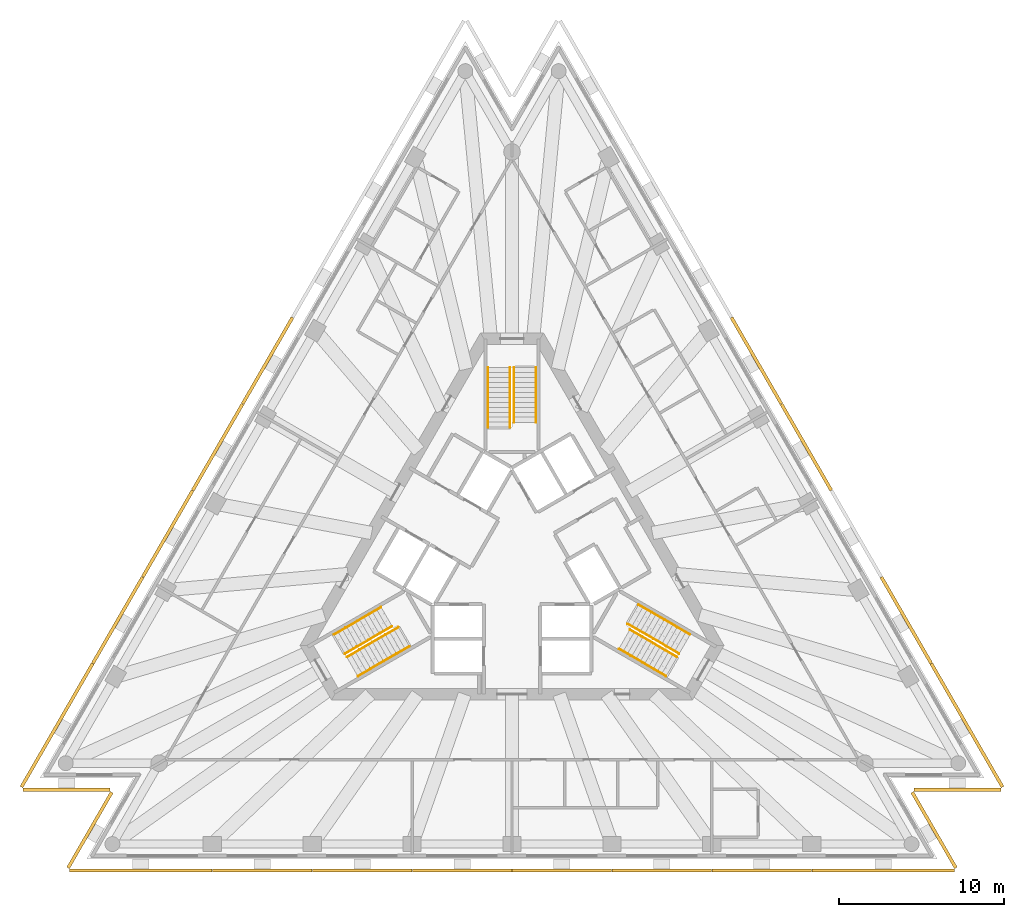
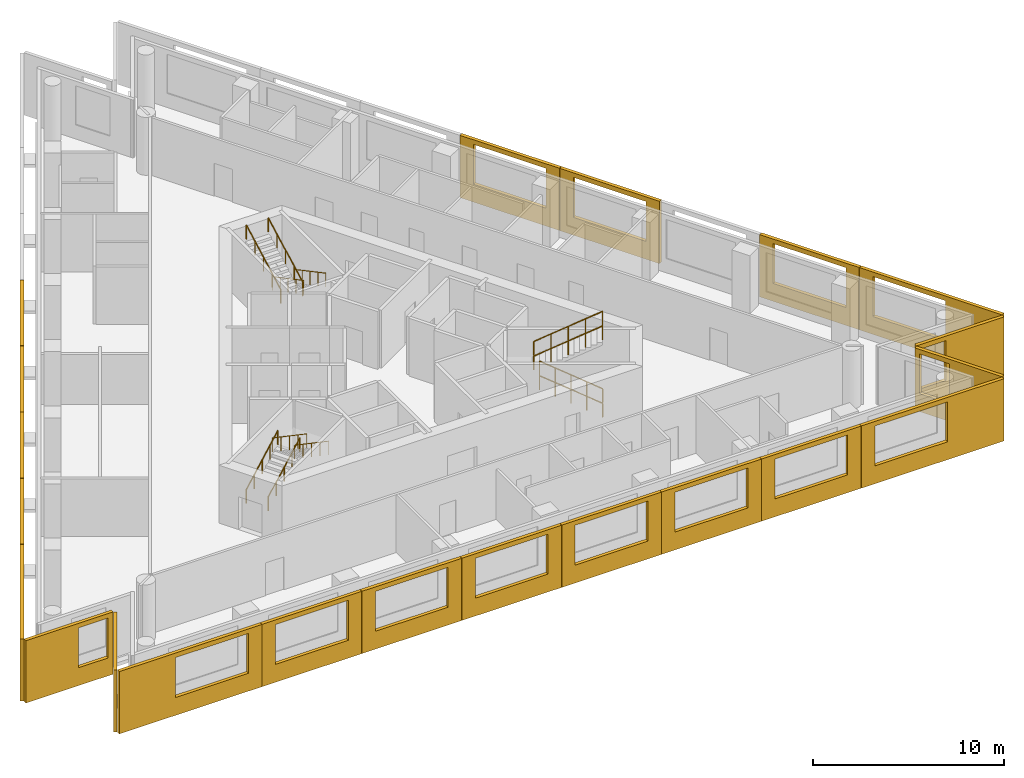
# One storey, part 8 of 9: 21 shading devices, 12 railings, 3 elements without a shape of their own.
"""IFC4 building model written with IfcOpenShell, lengths in metres."""

from ifc_helpers import new_model, si_unit, direction, frame, origin, origin_2d, place, context, subcontext, project, spatial, polyline, circle, outline, extrude, material, layer, layer_set, type_object, element, aggregate, save


model = new_model("IFC4")

# Units and contexts
model_context = context("Model", 3, precision=1e-05, world=origin(), true_north=direction((0.0, 1.0)))
body_context = subcontext(model_context, "Body", "Model", "MODEL_VIEW")
ifc_project = project(units=[si_unit("LENGTHUNIT", "METRE"), si_unit("AREAUNIT", "SQUARE_METRE"), si_unit("VOLUMEUNIT", "CUBIC_METRE"), si_unit("PLANEANGLEUNIT", "RADIAN"), si_unit("MASSUNIT", "GRAM", prefix="KILO")], contexts=[model_context])

# Site, building, storey
site_placement = place(None, origin())
site = spatial("IfcSite", under=ifc_project, at=site_placement, CompositionType="ELEMENT")
building_placement = place(site_placement, origin())
building = spatial("IfcBuilding", under=site, at=building_placement, Name="Triada Interchange Tower", CompositionType="ELEMENT")
storey_placement = place(building_placement, frame((0.0, 0.0, 223.300048828125)))
storey = spatial("IfcBuildingStorey", under=building, at=storey_placement, Name="L52", CompositionType="ELEMENT", Elevation=223.300048828125)

# Shading devices
ifc_material_1 = material(Name="Concrete C50/60 precast", Category="concrete")
ifc_layer_1 = layer(ifc_material_1, 0.02001953125, Name="Exposed aggregate face")
ifc_layer_2 = layer(ifc_material_1, 0.179931640625, Name="Precast concrete screen")
ifc_layer_set = layer_set([ifc_layer_1, ifc_layer_2], Name="Outer skin screen panel 3980")
shading_device_type = type_object("IfcShadingDeviceType", Name="Outer skin screen panel 3980", PredefinedType="SHUTTER", material=ifc_layer_set)
shading_device_1_placement = place(storey_placement, frame((-13.18798828125, 14.577880859375, -0.2900390625), z_axis=(0.0, 0.0, 1.0), x_axis=(-0.499972859464, -0.866041072813, 0.0)))
element("IfcShadingDevice", 1, at=shading_device_1_placement, inside=storey, type_object=shading_device_type, Name="Outer skin screen panel L52 04", PredefinedType="SHUTTER", context=body_context, shape_type="SweptSolid", body=[
    extrude(outline(polyline([(0.0, 0.0), (6.020263671875, 0.0), (6.020263671875, 3.97998046875), (0.0, 3.97998046875), (0.0, 0.0)]), holes=[polyline([(0.81005859375, 1.139892578125), (0.81005859375, 3.68994140625), (5.2099609375, 3.68994140625), (5.2099609375, 1.139892578125), (0.81005859375, 1.139892578125)])]), frame((0.0, 0.0, 0.0), z_axis=(0.0, -1.0, 0.0), x_axis=(1.0, 0.0, 0.0)), (0.0, 0.0, 1.0), 0.199951171875),
])
shading_device_2_placement = place(storey_placement, frame((-16.2080078125, 9.345947265625, -0.2900390625), z_axis=(0.0, 0.0, 1.0), x_axis=(-0.499972859464, -0.866041072813, 0.0)))
element("IfcShadingDevice", 2, at=shading_device_2_placement, inside=storey, type_object=shading_device_type, Name="Outer skin screen panel L52 05", PredefinedType="SHUTTER", context=body_context, shape_type="SweptSolid", body=[
    extrude(outline(polyline([(0.0, 0.0), (6.020263671875, 0.0), (6.020263671875, 3.97998046875), (0.0, 3.97998046875), (0.0, 0.0)]), holes=[polyline([(0.810302734375, 1.139892578125), (0.810302734375, 3.68994140625), (5.21044921875, 3.68994140625), (5.21044921875, 1.139892578125), (0.810302734375, 1.139892578125)])]), frame((0.0, 0.0, 0.0), z_axis=(0.0, -1.0, 0.0), x_axis=(1.0, 0.0, 0.0)), (0.0, 0.0, 1.0), 0.199951171875),
])
shading_device_3_placement = place(storey_placement, frame((-19.22802734375, 4.114990234375, -0.2900390625), z_axis=(0.0, 0.0, 1.0), x_axis=(-0.500076946771, -0.865980973987, 0.0)))
element("IfcShadingDevice", 3, at=shading_device_3_placement, inside=storey, type_object=shading_device_type, Name="Outer skin screen panel L52 06", PredefinedType="SHUTTER", context=body_context, shape_type="SweptSolid", body=[
    extrude(outline(polyline([(0.0, 0.0), (6.02099609375, 0.0), (6.02099609375, 3.97998046875), (0.0, 3.97998046875), (0.0, 0.0)]), holes=[polyline([(0.809814453125, 1.139892578125), (0.809814453125, 3.68994140625), (5.2099609375, 3.68994140625), (5.2099609375, 1.139892578125), (0.809814453125, 1.139892578125)])]), frame((0.0, 0.0, 0.0), z_axis=(0.0, -1.0, 0.0), x_axis=(1.0, 0.0, 0.0)), (0.0, 0.0, 1.0), 0.199951171875),
])
shading_device_4_placement = place(storey_placement, frame((-22.2490234375, -1.115966796875, -0.2900390625), z_axis=(0.0, 0.0, 1.0), x_axis=(-0.499955300828, -0.866051209326, 0.0)))
element("IfcShadingDevice", 4, at=shading_device_4_placement, inside=storey, type_object=shading_device_type, Name="Outer skin screen panel L52 07", PredefinedType="SHUTTER", context=body_context, shape_type="SweptSolid", body=[
    extrude(outline(polyline([(0.0, 0.0), (6.0205078125, 0.0), (6.0205078125, 3.97998046875), (0.0, 3.97998046875), (0.0, 0.0)]), holes=[polyline([(0.810302734375, 1.139892578125), (0.810302734375, 3.68994140625), (5.21044921875, 3.68994140625), (5.21044921875, 1.139892578125), (0.810302734375, 1.139892578125)])]), frame((0.0, 0.0, 0.0), z_axis=(0.0, -1.0, 0.0), x_axis=(1.0, 0.0, 0.0)), (0.0, 0.0, 1.0), 0.199951171875),
])
shading_device_5_placement = place(storey_placement, frame((-25.26904296875, -6.346923828125, -0.2900390625), z_axis=(0.0, 0.0, 1.0), x_axis=(-0.499950501706, -0.866053979752, 0.0)))
element("IfcShadingDevice", 5, at=shading_device_5_placement, inside=storey, type_object=shading_device_type, Name="Outer skin screen panel L52 08", PredefinedType="SHUTTER", context=body_context, shape_type="SweptSolid", body=[
    extrude(outline(polyline([(0.0, 0.0), (8.618408203125, 0.0), (8.618408203125, 3.97998046875), (0.0, 3.97998046875), (0.0, 0.0)]), holes=[polyline([(0.809814453125, 1.139892578125), (0.809814453125, 3.68994140625), (5.2099609375, 3.68994140625), (5.2099609375, 1.139892578125), (0.809814453125, 1.139892578125)])]), frame((0.0, 0.0, 0.0), z_axis=(0.0, -1.0, 0.0), x_axis=(1.0, 0.0, 0.0)), (0.0, 0.0, 1.0), 0.199951171875),
])
shading_device_6_placement = place(storey_placement, frame((-29.572998046875, -13.820068359375, -0.2900390625), z_axis=(0.0, 0.0, 1.0), x_axis=(1.0, 0.0, 0.0)))
element("IfcShadingDevice", 6, at=shading_device_6_placement, inside=storey, type_object=shading_device_type, Name="Outer skin screen panel L52 09", PredefinedType="SHUTTER", context=body_context, shape_type="SweptSolid", body=[
    extrude(outline(polyline([(0.0, 0.0), (5.279052734375, 0.0), (5.279052734375, 3.97998046875), (0.0, 3.97998046875), (0.0, 0.0)]), holes=[polyline([(3.175048828125, 1.139892578125), (3.175048828125, 3.68994140625), (4.97900390625, 3.68994140625), (4.97900390625, 1.139892578125), (3.175048828125, 1.139892578125)])]), frame((0.0, 0.0, 0.0), z_axis=(0.0, -1.0, 0.0), x_axis=(1.0, 0.0, 0.0)), (0.0, 0.0, 1.0), 0.199951171875),
])
shading_device_7_placement = place(storey_placement, frame((-24.114990234375, -14.12890625, -0.2900390625), z_axis=(0.0, 0.0, 1.0), x_axis=(-0.50003334744, -0.866006149775, 0.0)))
element("IfcShadingDevice", 7, at=shading_device_7_placement, inside=storey, type_object=shading_device_type, Name="Outer skin screen panel L52 10", PredefinedType="SHUTTER", context=body_context, shape_type="SweptSolid", body=[
    extrude(outline(polyline([(0.0, 0.0), (5.279541015625, 0.0), (5.279541015625, 3.97998046875), (0.0, 3.97998046875), (0.0, 0.0)]), holes=[polyline([(0.300048828125, 1.139892578125), (0.300048828125, 3.68994140625), (1.758056640625, 3.68994140625), (1.758056640625, 1.139892578125), (0.300048828125, 1.139892578125)])]), frame((0.0, 0.0, 0.0), z_axis=(0.0, -1.0, 0.0), x_axis=(1.0, 0.0, 0.0)), (0.0, 0.0, 1.0), 0.199951171875),
])
shading_device_8_placement = place(storey_placement, frame((-26.75, -18.7099609375, -0.2900390625), z_axis=(0.0, 0.0, 1.0), x_axis=(1.0, 0.0, 0.0)))
element("IfcShadingDevice", 8, at=shading_device_8_placement, inside=storey, type_object=shading_device_type, Name="Outer skin screen panel L52 11", PredefinedType="SHUTTER", context=body_context, shape_type="SweptSolid", body=[
    extrude(outline(polyline([(0.0, 0.0), (8.618896484375, 0.0), (8.618896484375, 3.97998046875), (0.0, 3.97998046875), (0.0, 0.0)]), holes=[polyline([(3.407958984375, 1.139892578125), (3.407958984375, 3.68994140625), (7.80810546875, 3.68994140625), (7.80810546875, 1.139892578125), (3.407958984375, 1.139892578125)])]), frame((0.0, 0.0, 0.0), z_axis=(0.0, -1.0, 0.0), x_axis=(1.0, 0.0, 0.0)), (0.0, 0.0, 1.0), 0.199951171875),
])
shading_device_9_placement = place(storey_placement, frame((-18.112060546875, -18.7099609375, -0.2900390625), z_axis=(0.0, 0.0, 1.0), x_axis=(1.0, 0.0, 0.0)))
element("IfcShadingDevice", 9, at=shading_device_9_placement, inside=storey, type_object=shading_device_type, Name="Outer skin screen panel L52 12", PredefinedType="SHUTTER", context=body_context, shape_type="SweptSolid", body=[
    extrude(outline(polyline([(0.0, 0.0), (6.02099609375, 0.0), (6.02099609375, 3.97998046875), (0.0, 3.97998046875), (0.0, 0.0)]), holes=[polyline([(0.810546875, 1.139892578125), (0.810546875, 3.68994140625), (5.21044921875, 3.68994140625), (5.21044921875, 1.139892578125), (0.810546875, 1.139892578125)])]), frame((0.0, 0.0, 0.0), z_axis=(0.0, -1.0, 0.0), x_axis=(1.0, 0.0, 0.0)), (0.0, 0.0, 1.0), 0.199951171875),
])
shading_device_10_placement = place(storey_placement, frame((-12.071044921875, -18.7099609375, -0.2900390625), z_axis=(0.0, 0.0, 1.0), x_axis=(1.0, 0.0, 0.0)))
element("IfcShadingDevice", 10, at=shading_device_10_placement, inside=storey, type_object=shading_device_type, Name="Outer skin screen panel L52 13", PredefinedType="SHUTTER", context=body_context, shape_type="SweptSolid", body=[
    extrude(outline(polyline([(0.0, 0.0), (6.02001953125, 0.0), (6.02001953125, 3.97998046875), (0.0, 3.97998046875), (0.0, 0.0)]), holes=[polyline([(0.81005859375, 1.139892578125), (0.81005859375, 3.68994140625), (5.2099609375, 3.68994140625), (5.2099609375, 1.139892578125), (0.81005859375, 1.139892578125)])]), frame((0.0, 0.0, 0.0), z_axis=(0.0, -1.0, 0.0), x_axis=(1.0, 0.0, 0.0)), (0.0, 0.0, 1.0), 0.199951171875),
])
shading_device_11_placement = place(storey_placement, frame((-6.030029296875, -18.7099609375, -0.2900390625), z_axis=(0.0, 0.0, 1.0), x_axis=(1.0, 0.0, 0.0)))
element("IfcShadingDevice", 11, at=shading_device_11_placement, inside=storey, type_object=shading_device_type, Name="Outer skin screen panel L52 14", PredefinedType="SHUTTER", context=body_context, shape_type="SweptSolid", body=[
    extrude(outline(polyline([(0.0, 0.0), (6.02001953125, 0.0), (6.02001953125, 3.97998046875), (0.0, 3.97998046875), (0.0, 0.0)]), holes=[polyline([(0.810546875, 1.139892578125), (0.810546875, 3.68994140625), (5.21044921875, 3.68994140625), (5.21044921875, 1.139892578125), (0.810546875, 1.139892578125)])]), frame((0.0, 0.0, 0.0), z_axis=(0.0, -1.0, 0.0), x_axis=(1.0, 0.0, 0.0)), (0.0, 0.0, 1.0), 0.199951171875),
])
shading_device_12_placement = place(storey_placement, frame((0.010009765625, -18.7099609375, -0.2900390625), z_axis=(0.0, 0.0, 1.0), x_axis=(1.0, 0.0, 0.0)))
element("IfcShadingDevice", 12, at=shading_device_12_placement, inside=storey, type_object=shading_device_type, Name="Outer skin screen panel L52 15", PredefinedType="SHUTTER", context=body_context, shape_type="SweptSolid", body=[
    extrude(outline(polyline([(0.0, 0.0), (6.02001953125, 0.0), (6.02001953125, 3.97998046875), (0.0, 3.97998046875), (0.0, 0.0)]), holes=[polyline([(0.81005859375, 1.139892578125), (0.81005859375, 3.68994140625), (5.2099609375, 3.68994140625), (5.2099609375, 1.139892578125), (0.81005859375, 1.139892578125)])]), frame((0.0, 0.0, 0.0), z_axis=(0.0, -1.0, 0.0), x_axis=(1.0, 0.0, 0.0)), (0.0, 0.0, 1.0), 0.199951171875),
])
shading_device_13_placement = place(storey_placement, frame((6.051025390625, -18.7099609375, -0.2900390625), z_axis=(0.0, 0.0, 1.0), x_axis=(1.0, 0.0, 0.0)))
element("IfcShadingDevice", 13, at=shading_device_13_placement, inside=storey, type_object=shading_device_type, Name="Outer skin screen panel L52 16", PredefinedType="SHUTTER", context=body_context, shape_type="SweptSolid", body=[
    extrude(outline(polyline([(0.0, 0.0), (6.02001953125, 0.0), (6.02001953125, 3.97998046875), (0.0, 3.97998046875), (0.0, 0.0)]), holes=[polyline([(0.810546875, 1.139892578125), (0.810546875, 3.68994140625), (5.21044921875, 3.68994140625), (5.21044921875, 1.139892578125), (0.810546875, 1.139892578125)])]), frame((0.0, 0.0, 0.0), z_axis=(0.0, -1.0, 0.0), x_axis=(1.0, 0.0, 0.0)), (0.0, 0.0, 1.0), 0.199951171875),
])
shading_device_14_placement = place(storey_placement, frame((12.091064453125, -18.7099609375, -0.2900390625), z_axis=(0.0, 0.0, 1.0), x_axis=(1.0, 0.0, 0.0)))
element("IfcShadingDevice", 14, at=shading_device_14_placement, inside=storey, type_object=shading_device_type, Name="Outer skin screen panel L52 17", PredefinedType="SHUTTER", context=body_context, shape_type="SweptSolid", body=[
    extrude(outline(polyline([(0.0, 0.0), (6.02099609375, 0.0), (6.02099609375, 3.97998046875), (0.0, 3.97998046875), (0.0, 0.0)]), holes=[polyline([(0.81005859375, 1.139892578125), (0.81005859375, 3.68994140625), (5.2099609375, 3.68994140625), (5.2099609375, 1.139892578125), (0.81005859375, 1.139892578125)])]), frame((0.0, 0.0, 0.0), z_axis=(0.0, -1.0, 0.0), x_axis=(1.0, 0.0, 0.0)), (0.0, 0.0, 1.0), 0.199951171875),
])
shading_device_15_placement = place(storey_placement, frame((18.132080078125, -18.7099609375, -0.2900390625), z_axis=(0.0, 0.0, 1.0), x_axis=(1.0, 0.0, 0.0)))
element("IfcShadingDevice", 15, at=shading_device_15_placement, inside=storey, type_object=shading_device_type, Name="Outer skin screen panel L52 18", PredefinedType="SHUTTER", context=body_context, shape_type="SweptSolid", body=[
    extrude(outline(polyline([(0.0, 0.0), (8.617919921875, 0.0), (8.617919921875, 3.97998046875), (0.0, 3.97998046875), (0.0, 0.0)]), holes=[polyline([(0.810546875, 1.139892578125), (0.810546875, 3.68994140625), (5.21044921875, 3.68994140625), (5.21044921875, 1.139892578125), (0.810546875, 1.139892578125)])]), frame((0.0, 0.0, 0.0), z_axis=(0.0, -1.0, 0.0), x_axis=(1.0, 0.0, 0.0)), (0.0, 0.0, 1.0), 0.199951171875),
])
shading_device_16_placement = place(storey_placement, frame((26.7548828125, -18.700927734375, -0.2900390625), z_axis=(0.0, 0.0, 1.0), x_axis=(-0.50003334744, 0.866006149775, 0.0)))
element("IfcShadingDevice", 16, at=shading_device_16_placement, inside=storey, type_object=shading_device_type, Name="Outer skin screen panel L52 19", PredefinedType="SHUTTER", context=body_context, shape_type="SweptSolid", body=[
    extrude(outline(polyline([(0.0, 0.0), (5.279541015625, 0.0), (5.279541015625, 3.97998046875), (0.0, 3.97998046875), (0.0, 0.0)]), holes=[polyline([(3.17529296875, 1.139892578125), (3.17529296875, 3.68994140625), (4.979736328125, 3.68994140625), (4.979736328125, 1.139892578125), (3.17529296875, 1.139892578125)])]), frame((0.0, 0.0, 0.0), z_axis=(0.0, -1.0, 0.0), x_axis=(1.0, 0.0, 0.0)), (0.0, 0.0, 1.0), 0.199951171875),
])
shading_device_17_placement = place(storey_placement, frame((24.2939453125, -13.820068359375, -0.2900390625), z_axis=(0.0, 0.0, 1.0), x_axis=(1.0, 0.0, 0.0)))
element("IfcShadingDevice", 17, at=shading_device_17_placement, inside=storey, type_object=shading_device_type, Name="Outer skin screen panel L52 20", PredefinedType="SHUTTER", context=body_context, shape_type="SweptSolid", body=[
    extrude(outline(polyline([(0.0, 0.0), (5.279052734375, 0.0), (5.279052734375, 3.97998046875), (0.0, 3.97998046875), (0.0, 0.0)]), holes=[polyline([(0.300048828125, 1.139892578125), (0.300048828125, 3.68994140625), (1.758056640625, 3.68994140625), (1.758056640625, 1.139892578125), (0.300048828125, 1.139892578125)])]), frame((0.0, 0.0, 0.0), z_axis=(0.0, -1.0, 0.0), x_axis=(1.0, 0.0, 0.0)), (0.0, 0.0, 1.0), 0.199951171875),
])
shading_device_18_placement = place(storey_placement, frame((29.577880859375, -13.81103515625, -0.2900390625), z_axis=(0.0, 0.0, 1.0), x_axis=(-0.499950501706, 0.866053979752, 0.0)))
element("IfcShadingDevice", 18, at=shading_device_18_placement, inside=storey, type_object=shading_device_type, Name="Outer skin screen panel L52 21", PredefinedType="SHUTTER", context=body_context, shape_type="SweptSolid", body=[
    extrude(outline(polyline([(0.0, 0.0), (8.618408203125, 0.0), (8.618408203125, 3.97998046875), (0.0, 3.97998046875), (0.0, 0.0)]), holes=[polyline([(3.408203125, 1.139892578125), (3.408203125, 3.68994140625), (7.808349609375, 3.68994140625), (7.808349609375, 1.139892578125), (3.408203125, 1.139892578125)])]), frame((0.0, 0.0, 0.0), z_axis=(0.0, -1.0, 0.0), x_axis=(1.0, 0.0, 0.0)), (0.0, 0.0, 1.0), 0.199951171875),
])
shading_device_19_placement = place(storey_placement, frame((25.259033203125, -6.330078125, -0.2900390625), z_axis=(0.0, 0.0, 1.0), x_axis=(-0.499955300828, 0.866051209326, 0.0)))
element("IfcShadingDevice", 19, at=shading_device_19_placement, inside=storey, type_object=shading_device_type, Name="Outer skin screen panel L52 22", PredefinedType="SHUTTER", context=body_context, shape_type="SweptSolid", body=[
    extrude(outline(polyline([(0.0, 0.0), (6.0205078125, 0.0), (6.0205078125, 3.97998046875), (0.0, 3.97998046875), (0.0, 0.0)]), holes=[polyline([(0.809814453125, 1.139892578125), (0.809814453125, 3.68994140625), (5.209716796875, 3.68994140625), (5.209716796875, 1.139892578125), (0.809814453125, 1.139892578125)])]), frame((0.0, 0.0, 0.0), z_axis=(0.0, -1.0, 0.0), x_axis=(1.0, 0.0, 0.0)), (0.0, 0.0, 1.0), 0.199951171875),
])
shading_device_20_placement = place(storey_placement, frame((19.218017578125, 4.132080078125, -0.2900390625), z_axis=(0.0, 0.0, 1.0), x_axis=(-0.499972859464, 0.866041072813, 0.0)))
element("IfcShadingDevice", 20, at=shading_device_20_placement, inside=storey, type_object=shading_device_type, Name="Outer skin screen panel L52 24", PredefinedType="SHUTTER", context=body_context, shape_type="SweptSolid", body=[
    extrude(outline(polyline([(0.0, 0.0), (6.020263671875, 0.0), (6.020263671875, 3.97998046875), (0.0, 3.97998046875), (0.0, 0.0)]), holes=[polyline([(0.810791015625, 1.139892578125), (0.810791015625, 3.68994140625), (5.210693359375, 3.68994140625), (5.210693359375, 1.139892578125), (0.810791015625, 1.139892578125)])]), frame((0.0, 0.0, 0.0), z_axis=(0.0, -1.0, 0.0), x_axis=(1.0, 0.0, 0.0)), (0.0, 0.0, 1.0), 0.199951171875),
])
shading_device_21_placement = place(storey_placement, frame((16.197998046875, 9.364013671875, -0.2900390625), z_axis=(0.0, 0.0, 1.0), x_axis=(-0.499972859464, 0.866041072813, 0.0)))
element("IfcShadingDevice", 21, at=shading_device_21_placement, inside=storey, type_object=shading_device_type, Name="Outer skin screen panel L52 25", PredefinedType="SHUTTER", context=body_context, shape_type="SweptSolid", body=[
    extrude(outline(polyline([(0.0, 0.0), (6.020263671875, 0.0), (6.020263671875, 3.97998046875), (0.0, 3.97998046875), (0.0, 0.0)]), holes=[polyline([(0.810302734375, 1.139892578125), (0.810302734375, 3.68994140625), (5.210205078125, 3.68994140625), (5.210205078125, 1.139892578125), (0.810302734375, 1.139892578125)])]), frame((0.0, 0.0, 0.0), z_axis=(0.0, -1.0, 0.0), x_axis=(1.0, 0.0, 0.0)), (0.0, 0.0, 1.0), 0.199951171875),
])

# Stair, railings
ifc_material_2 = material(Name="Concrete C35/45", Category="concrete")
stair_type = type_object("IfcStairType", Name="HALF TURN STAIR 1400", PredefinedType="HALF_TURN_STAIR", material=ifc_material_2)
stair_1_placement = place(storey_placement, origin())
stair_1 = element("IfcStair", 22, at=stair_1_placement, inside=storey, type_object=stair_type, Name="Exit stair S50-1", PredefinedType="HALF_TURN_STAIR")
ifc_material_3 = material(Name="Stainless steel 1.4301", Category="steel")
railing_type = type_object("IfcRailingType", Name="STAIR HANDRAIL 900", PredefinedType="HANDRAIL", material=ifc_material_3)
railing_1_placement = place(storey_placement, frame((1.449951171875, 11.60009765625, 0.159912109375)))
railing_1 = element("IfcRailing", 23, at=railing_1_placement, type_object=railing_type, Name="Handrail S50-1 1W", PredefinedType="HANDRAIL", context=body_context, shape_type="SweptSolid", body=[
    extrude(circle(Radius=0.02392578125, at=origin_2d()), frame((0.0, 0.0, 0.8759765625), z_axis=(0.0, -0.882354748157, 0.47058484719), x_axis=(1.0, 0.0, 0.0)), (0.0, 0.0, 1.0), 3.739990234375),
    extrude(circle(Radius=0.02099609375, at=origin_2d()), origin(), (0.0, 0.0, 1.0), 0.851806640625),
    extrude(circle(Radius=0.02099609375, at=origin_2d()), frame((0.0, -0.824951171875, 0.43994140625)), (0.0, 0.0, 1.0), 0.851806640625),
    extrude(circle(Radius=0.02099609375, at=origin_2d()), frame((0.0, -1.64990234375, 0.8798828125)), (0.0, 0.0, 1.0), 0.851806640625),
    extrude(circle(Radius=0.02099609375, at=origin_2d()), frame((0.0, -2.47509765625, 1.320068359375)), (0.0, 0.0, 1.0), 0.851806640625),
    extrude(circle(Radius=0.02099609375, at=origin_2d()), frame((0.0, -3.300048828125, 1.760009765625)), (0.0, 0.0, 1.0), 0.851806640625),
])
railing_2_placement = place(storey_placement, frame((0.1201171875, 11.60009765625, 0.159912109375)))
railing_2 = element("IfcRailing", 24, at=railing_2_placement, type_object=railing_type, Name="Handrail S50-1 1C", PredefinedType="HANDRAIL", context=body_context, shape_type="SweptSolid", body=[
    extrude(circle(Radius=0.02392578125, at=origin_2d()), frame((0.0, 0.0, 0.8759765625), z_axis=(0.0, -0.882354748157, 0.47058484719), x_axis=(1.0, 0.0, 0.0)), (0.0, 0.0, 1.0), 3.739990234375),
    extrude(circle(Radius=0.02099609375, at=origin_2d()), origin(), (0.0, 0.0, 1.0), 0.851806640625),
    extrude(circle(Radius=0.02099609375, at=origin_2d()), frame((0.0, -0.824951171875, 0.43994140625)), (0.0, 0.0, 1.0), 0.851806640625),
    extrude(circle(Radius=0.02099609375, at=origin_2d()), frame((0.0, -1.64990234375, 0.8798828125)), (0.0, 0.0, 1.0), 0.851806640625),
    extrude(circle(Radius=0.02099609375, at=origin_2d()), frame((0.0, -2.47509765625, 1.320068359375)), (0.0, 0.0, 1.0), 0.851806640625),
    extrude(circle(Radius=0.02099609375, at=origin_2d()), frame((0.0, -3.300048828125, 1.760009765625)), (0.0, 0.0, 1.0), 0.851806640625),
])
railing_3_placement = place(storey_placement, frame((-1.449951171875, 8.0, 2.079833984375)))
railing_3 = element("IfcRailing", 25, at=railing_3_placement, type_object=railing_type, Name="Handrail S50-1 2W", PredefinedType="HANDRAIL", context=body_context, shape_type="SweptSolid", body=[
    extrude(circle(Radius=0.02392578125, at=origin_2d()), frame((0.0, 0.0, 0.8759765625), z_axis=(0.0, 0.882341346394, 0.470609974867), x_axis=(-1.0, 0.0, 0.0)), (0.0, 0.0, 1.0), 4.080078125),
    extrude(circle(Radius=0.02099609375, at=origin_2d()), origin(), (0.0, 0.0, 1.0), 0.851806640625),
    extrude(circle(Radius=0.02099609375, at=origin_2d()), frame((0.0, 0.89990234375, 0.47998046875)), (0.0, 0.0, 1.0), 0.851806640625),
    extrude(circle(Radius=0.02099609375, at=origin_2d()), frame((0.0, 1.800048828125, 0.9599609375)), (0.0, 0.0, 1.0), 0.851806640625),
    extrude(circle(Radius=0.02099609375, at=origin_2d()), frame((0.0, 2.7001953125, 1.440185546875)), (0.0, 0.0, 1.0), 0.851806640625),
    extrude(circle(Radius=0.02099609375, at=origin_2d()), frame((0.0, 3.60009765625, 1.920166015625)), (0.0, 0.0, 1.0), 0.851806640625),
])
railing_4_placement = place(storey_placement, frame((-0.1201171875, 8.0, 2.079833984375)))
railing_4 = element("IfcRailing", 26, at=railing_4_placement, type_object=railing_type, Name="Handrail S50-1 2C", PredefinedType="HANDRAIL", context=body_context, shape_type="SweptSolid", body=[
    extrude(circle(Radius=0.02392578125, at=origin_2d()), frame((0.0, 0.0, 0.8759765625), z_axis=(0.0, 0.882341346394, 0.470609974867), x_axis=(-1.0, 0.0, 0.0)), (0.0, 0.0, 1.0), 4.080078125),
    extrude(circle(Radius=0.02099609375, at=origin_2d()), origin(), (0.0, 0.0, 1.0), 0.851806640625),
    extrude(circle(Radius=0.02099609375, at=origin_2d()), frame((0.0, 0.89990234375, 0.47998046875)), (0.0, 0.0, 1.0), 0.851806640625),
    extrude(circle(Radius=0.02099609375, at=origin_2d()), frame((0.0, 1.800048828125, 0.9599609375)), (0.0, 0.0, 1.0), 0.851806640625),
    extrude(circle(Radius=0.02099609375, at=origin_2d()), frame((0.0, 2.7001953125, 1.440185546875)), (0.0, 0.0, 1.0), 0.851806640625),
    extrude(circle(Radius=0.02099609375, at=origin_2d()), frame((0.0, 3.60009765625, 1.920166015625)), (0.0, 0.0, 1.0), 0.851806640625),
])
aggregate(stair_1, [railing_1, railing_2, railing_3, railing_4])

stair_2_placement = place(storey_placement, origin())
stair_2 = element("IfcStair", 27, at=stair_2_placement, inside=storey, type_object=stair_type, Name="Exit stair S50-2", PredefinedType="HALF_TURN_STAIR")
railing_5_placement = place(storey_placement, frame((-10.77099609375, -4.5439453125, 0.159912109375)))
railing_5 = element("IfcRailing", 28, at=railing_5_placement, type_object=railing_type, Name="Handrail S50-2 1W", PredefinedType="HANDRAIL", context=body_context, shape_type="SweptSolid", body=[
    extrude(circle(Radius=0.02392578125, at=origin_2d()), frame((0.0, 0.0, 0.8759765625), z_axis=(0.764150854273, 0.441152526326, 0.470593158077), x_axis=(-0.499974350878, 0.866040211805, 0.0)), (0.0, 0.0, 1.0), 3.739990234375),
    extrude(circle(Radius=0.02099609375, at=origin_2d()), origin(), (0.0, 0.0, 1.0), 0.851806640625),
    extrude(circle(Radius=0.02099609375, at=origin_2d()), frame((0.71435546875, 0.41259765625, 0.43994140625)), (0.0, 0.0, 1.0), 0.851806640625),
    extrude(circle(Radius=0.02099609375, at=origin_2d()), frame((1.428955078125, 0.824951171875, 0.8798828125)), (0.0, 0.0, 1.0), 0.851806640625),
    extrude(circle(Radius=0.02099609375, at=origin_2d()), frame((2.1435546875, 1.2373046875, 1.320068359375)), (0.0, 0.0, 1.0), 0.851806640625),
    extrude(circle(Radius=0.02099609375, at=origin_2d()), frame((2.85791015625, 1.64990234375, 1.760009765625)), (0.0, 0.0, 1.0), 0.851806640625),
])
railing_6_placement = place(storey_placement, frame((-10.10595703125, -5.696044921875, 0.159912109375)))
railing_6 = element("IfcRailing", 29, at=railing_6_placement, type_object=railing_type, Name="Handrail S50-2 1C", PredefinedType="HANDRAIL", context=body_context, shape_type="SweptSolid", body=[
    extrude(circle(Radius=0.02392578125, at=origin_2d()), frame((0.0, 0.0, 0.8759765625), z_axis=(0.76412884773, 0.441205098395, 0.470579605611), x_axis=(-0.50002983664, 0.866008176907, 0.0)), (0.0, 0.0, 1.0), 3.739990234375),
    extrude(circle(Radius=0.02099609375, at=origin_2d()), origin(), (0.0, 0.0, 1.0), 0.851806640625),
    extrude(circle(Radius=0.02099609375, at=origin_2d()), frame((0.71435546875, 0.41259765625, 0.43994140625)), (0.0, 0.0, 1.0), 0.851806640625),
    extrude(circle(Radius=0.02099609375, at=origin_2d()), frame((1.428955078125, 0.8251953125, 0.8798828125)), (0.0, 0.0, 1.0), 0.851806640625),
    extrude(circle(Radius=0.02099609375, at=origin_2d()), frame((2.1435546875, 1.237548828125, 1.320068359375)), (0.0, 0.0, 1.0), 0.851806640625),
    extrude(circle(Radius=0.02099609375, at=origin_2d()), frame((2.85791015625, 1.650146484375, 1.760009765625)), (0.0, 0.0, 1.0), 0.851806640625),
])
railing_7_placement = place(storey_placement, frame((-6.202880859375, -5.256103515625, 2.079833984375)))
railing_7 = element("IfcRailing", 30, at=railing_7_placement, type_object=railing_type, Name="Handrail S50-2 2W", PredefinedType="HANDRAIL", context=body_context, shape_type="SweptSolid", body=[
    extrude(circle(Radius=0.02392578125, at=origin_2d()), frame((0.0, 0.0, 0.8759765625), z_axis=(-0.764189758314, -0.441090424232, 0.470588196769), x_axis=(0.499902469156, -0.866081705922, 0.0)), (0.0, 0.0, 1.0), 4.080322265625),
    extrude(circle(Radius=0.02099609375, at=origin_2d()), origin(), (0.0, 0.0, 1.0), 0.851806640625),
    extrude(circle(Radius=0.02099609375, at=origin_2d()), frame((-0.779541015625, -0.449951171875, 0.47998046875)), (0.0, 0.0, 1.0), 0.851806640625),
    extrude(circle(Radius=0.02099609375, at=origin_2d()), frame((-1.55908203125, -0.89990234375, 0.9599609375)), (0.0, 0.0, 1.0), 0.851806640625),
    extrude(circle(Radius=0.02099609375, at=origin_2d()), frame((-2.338623046875, -1.349853515625, 1.440185546875)), (0.0, 0.0, 1.0), 0.851806640625),
    extrude(circle(Radius=0.02099609375, at=origin_2d()), frame((-3.1181640625, -1.7998046875, 1.920166015625)), (0.0, 0.0, 1.0), 0.851806640625),
])
railing_8_placement = place(storey_placement, frame((-6.867919921875, -4.10400390625, 2.079833984375)))
railing_8 = element("IfcRailing", 31, at=railing_8_placement, type_object=railing_type, Name="Handrail S50-2 2C", PredefinedType="HANDRAIL", context=body_context, shape_type="SweptSolid", body=[
    extrude(circle(Radius=0.02392578125, at=origin_2d()), frame((0.0, 0.0, 0.8759765625), z_axis=(-0.764169589359, -0.441138614339, 0.470575776723), x_axis=(0.49995333141, -0.866052346231, 0.0)), (0.0, 0.0, 1.0), 4.08056640625),
    extrude(circle(Radius=0.02099609375, at=origin_2d()), origin(), (0.0, 0.0, 1.0), 0.851806640625),
    extrude(circle(Radius=0.02099609375, at=origin_2d()), frame((-0.779541015625, -0.449951171875, 0.47998046875)), (0.0, 0.0, 1.0), 0.851806640625),
    extrude(circle(Radius=0.02099609375, at=origin_2d()), frame((-1.55908203125, -0.89990234375, 0.9599609375)), (0.0, 0.0, 1.0), 0.851806640625),
    extrude(circle(Radius=0.02099609375, at=origin_2d()), frame((-2.338623046875, -1.35009765625, 1.440185546875)), (0.0, 0.0, 1.0), 0.851806640625),
    extrude(circle(Radius=0.02099609375, at=origin_2d()), frame((-3.1181640625, -1.800048828125, 1.920166015625)), (0.0, 0.0, 1.0), 0.851806640625),
])
aggregate(stair_2, [railing_5, railing_6, railing_7, railing_8])

stair_3_placement = place(storey_placement, origin())
stair_3 = element("IfcStair", 32, at=stair_3_placement, inside=storey, type_object=stair_type, Name="Exit stair S50-3", PredefinedType="HALF_TURN_STAIR")
railing_9_placement = place(storey_placement, frame((9.321044921875, -7.055908203125, 0.159912109375)))
railing_9 = element("IfcRailing", 33, at=railing_9_placement, type_object=railing_type, Name="Handrail S50-3 1W", PredefinedType="HANDRAIL", context=body_context, shape_type="SweptSolid", body=[
    extrude(circle(Radius=0.02392578125, at=origin_2d()), frame((0.0, 0.0, 0.8759765625), z_axis=(-0.764178012919, 0.441130521168, 0.470569684388), x_axis=(-0.499942318283, -0.866058703778, 0.0)), (0.0, 0.0, 1.0), 3.740234375),
    extrude(circle(Radius=0.02099609375, at=origin_2d()), origin(), (0.0, 0.0, 1.0), 0.851806640625),
    extrude(circle(Radius=0.02099609375, at=origin_2d()), frame((-0.714599609375, 0.41259765625, 0.43994140625)), (0.0, 0.0, 1.0), 0.851806640625),
    extrude(circle(Radius=0.02099609375, at=origin_2d()), frame((-1.42919921875, 0.824951171875, 0.8798828125)), (0.0, 0.0, 1.0), 0.851806640625),
    extrude(circle(Radius=0.02099609375, at=origin_2d()), frame((-2.1435546875, 1.2373046875, 1.320068359375)), (0.0, 0.0, 1.0), 0.851806640625),
    extrude(circle(Radius=0.02099609375, at=origin_2d()), frame((-2.858154296875, 1.64990234375, 1.760009765625)), (0.0, 0.0, 1.0), 0.851806640625),
])
railing_10_placement = place(storey_placement, frame((9.986083984375, -5.904052734375, 0.159912109375)))
railing_10 = element("IfcRailing", 34, at=railing_10_placement, type_object=railing_type, Name="Handrail S50-3 1C", PredefinedType="HANDRAIL", context=body_context, shape_type="SweptSolid", body=[
    extrude(circle(Radius=0.02392578125, at=origin_2d()), frame((0.0, 0.0, 0.8759765625), z_axis=(-0.764156007789, 0.441183091881, 0.47055613395), x_axis=(-0.49999780286, -0.8660266723, 0.0)), (0.0, 0.0, 1.0), 3.740234375),
    extrude(circle(Radius=0.02099609375, at=origin_2d()), origin(), (0.0, 0.0, 1.0), 0.851806640625),
    extrude(circle(Radius=0.02099609375, at=origin_2d()), frame((-0.714599609375, 0.41259765625, 0.43994140625)), (0.0, 0.0, 1.0), 0.851806640625),
    extrude(circle(Radius=0.02099609375, at=origin_2d()), frame((-1.42919921875, 0.8251953125, 0.8798828125)), (0.0, 0.0, 1.0), 0.851806640625),
    extrude(circle(Radius=0.02099609375, at=origin_2d()), frame((-2.1435546875, 1.237548828125, 1.320068359375)), (0.0, 0.0, 1.0), 0.851806640625),
    extrude(circle(Radius=0.02099609375, at=origin_2d()), frame((-2.858154296875, 1.650146484375, 1.760009765625)), (0.0, 0.0, 1.0), 0.851806640625),
])
railing_11_placement = place(storey_placement, frame((7.653076171875, -2.743896484375, 2.079833984375)))
railing_11 = element("IfcRailing", 35, at=railing_11_placement, type_object=railing_type, Name="Handrail S50-3 2W", PredefinedType="HANDRAIL", context=body_context, shape_type="SweptSolid", body=[
    extrude(circle(Radius=0.02392578125, at=origin_2d()), frame((0.0, 0.0, 0.8759765625), z_axis=(0.76414469501, -0.441158784458, 0.470597292793), x_axis=(0.499982693035, 0.866035395735, 0.0)), (0.0, 0.0, 1.0), 4.080322265625),
    extrude(circle(Radius=0.02099609375, at=origin_2d()), origin(), (0.0, 0.0, 1.0), 0.851806640625),
    extrude(circle(Radius=0.02099609375, at=origin_2d()), frame((0.779541015625, -0.449951171875, 0.47998046875)), (0.0, 0.0, 1.0), 0.851806640625),
    extrude(circle(Radius=0.02099609375, at=origin_2d()), frame((1.55908203125, -0.89990234375, 0.9599609375)), (0.0, 0.0, 1.0), 0.851806640625),
    extrude(circle(Radius=0.02099609375, at=origin_2d()), frame((2.33837890625, -1.35009765625, 1.440185546875)), (0.0, 0.0, 1.0), 0.851806640625),
    extrude(circle(Radius=0.02099609375, at=origin_2d()), frame((3.117919921875, -1.800048828125, 1.920166015625)), (0.0, 0.0, 1.0), 0.851806640625),
])
railing_12_placement = place(storey_placement, frame((6.988037109375, -3.89599609375, 2.079833984375)))
railing_12 = element("IfcRailing", 36, at=railing_12_placement, type_object=railing_type, Name="Handrail S50-3 2C", PredefinedType="HANDRAIL", context=body_context, shape_type="SweptSolid", body=[
    extrude(circle(Radius=0.02392578125, at=origin_2d()), frame((0.0, 0.0, 0.8759765625), z_axis=(0.76414469501, -0.441158784458, 0.470597292793), x_axis=(0.499982693035, 0.866035395735, 0.0)), (0.0, 0.0, 1.0), 4.080322265625),
    extrude(circle(Radius=0.02099609375, at=origin_2d()), origin(), (0.0, 0.0, 1.0), 0.851806640625),
    extrude(circle(Radius=0.02099609375, at=origin_2d()), frame((0.779541015625, -0.449951171875, 0.47998046875)), (0.0, 0.0, 1.0), 0.851806640625),
    extrude(circle(Radius=0.02099609375, at=origin_2d()), frame((1.55908203125, -0.89990234375, 0.9599609375)), (0.0, 0.0, 1.0), 0.851806640625),
    extrude(circle(Radius=0.02099609375, at=origin_2d()), frame((2.33837890625, -1.35009765625, 1.440185546875)), (0.0, 0.0, 1.0), 0.851806640625),
    extrude(circle(Radius=0.02099609375, at=origin_2d()), frame((3.117919921875, -1.800048828125, 1.920166015625)), (0.0, 0.0, 1.0), 0.851806640625),
])
aggregate(stair_3, [railing_9, railing_10, railing_11, railing_12])

save(model, "model.ifc")
